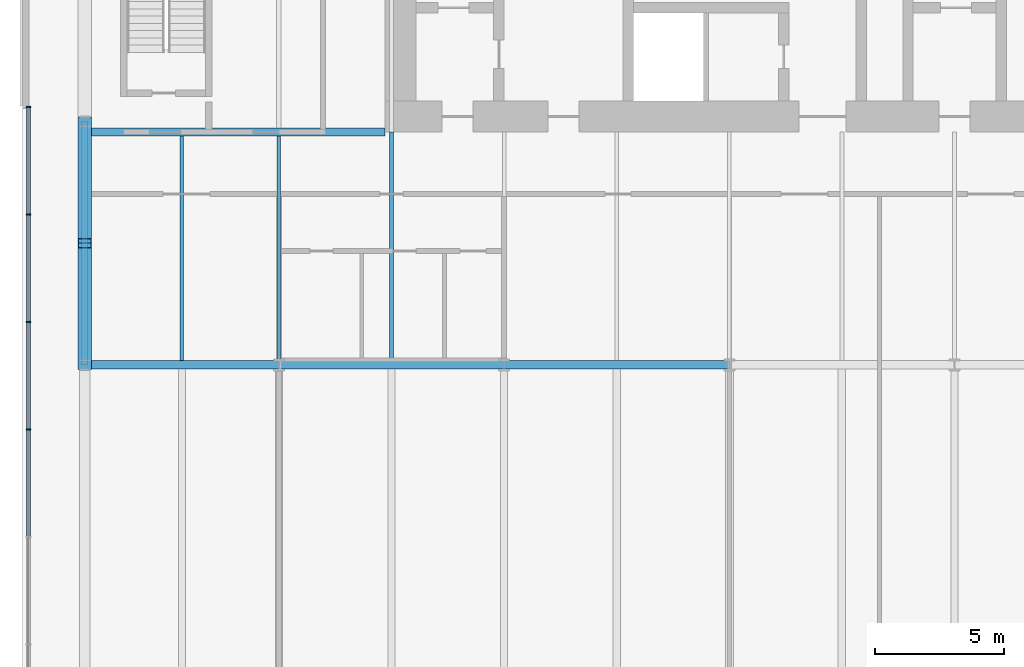
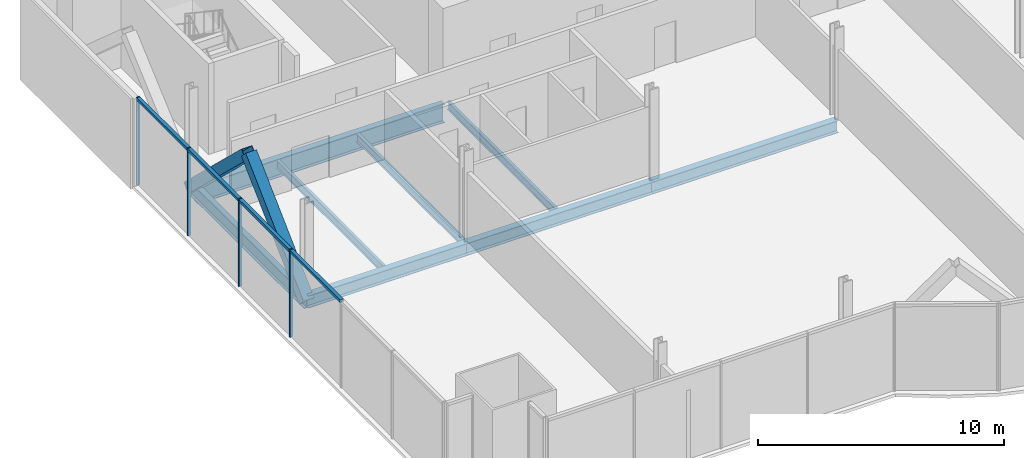
# One storey, part 6 of 21: 10 members, 8 beams, 1 element without a shape of its own.
"""IFC4 building model written with IfcOpenShell, lengths in metres."""

from ifc_helpers import new_model, si_unit, direction, frame, origin, origin_2d, place, context, subcontext, project, spatial, rectangle, hollow_rectangle, i_section, extrude, material, material_profile, profile_set, type_object, element, aggregate, save


model = new_model("IFC4")

# Units and contexts
model_context = context("Model", 3, precision=1e-05, world=origin(), true_north=direction((0.0, 1.0)))
body_context = subcontext(model_context, "Body", "Model", "MODEL_VIEW")
ifc_project = project(units=[si_unit("LENGTHUNIT", "METRE"), si_unit("AREAUNIT", "SQUARE_METRE"), si_unit("VOLUMEUNIT", "CUBIC_METRE"), si_unit("PLANEANGLEUNIT", "RADIAN"), si_unit("MASSUNIT", "GRAM", prefix="KILO")], contexts=[model_context])

# Site, building, storey
site_placement = place(None, origin())
site = spatial("IfcSite", under=ifc_project, at=site_placement, CompositionType="ELEMENT")
building_placement = place(site_placement, origin())
building = spatial("IfcBuilding", under=site, at=building_placement, Name="Bicima Exchange Tower", CompositionType="ELEMENT")
storey_placement = place(building_placement, frame((0.0, 0.0, 66.5)))
storey = spatial("IfcBuildingStorey", under=building, at=storey_placement, Name="L13", CompositionType="ELEMENT", Elevation=66.5)

# Beam
ifc_material_1 = material(Name="Steel ASTM A992 Gr 50", Category="steel")
ifc_material_profile_1 = material_profile(ifc_material_1, i_section(OverallWidth=0.3046875, OverallDepth=0.911865234375, WebThickness=0.015869140625, FlangeThickness=0.02392578125, at=origin_2d()))
ifc_profile_set_1 = profile_set([ifc_material_profile_1], Name="Steel ASTM A992 Gr 50")
beam_type_1 = type_object("IfcBeamType", Name="Core-line girder W36x150", PredefinedType="BEAM", material=ifc_profile_set_1)
beam_1_placement = place(storey_placement, frame((-22.0, -13.0, -0.60595703125), z_axis=(-1.0, 0.0, 0.0), x_axis=(0.0, -1.0, 0.0)))
element("IfcBeam", 1, at=beam_1_placement, inside=storey, type_object=beam_type_1, Name="Core-line girder", PredefinedType="BEAM", context=body_context, shape_type="SweptSolid", body=[
    extrude(i_section(OverallWidth=0.3046875, OverallDepth=0.911865234375, WebThickness=0.015869140625, FlangeThickness=0.02392578125, at=origin_2d()), origin(), (0.0, 0.0, 1.0), 11.60009765625),
])

# Curtain wall, members
ifc_material_2 = material(Name="Anodised bronze aluminium", Category="aluminium")
curtain_wall_type = type_object("IfcCurtainWallType", Name="End face glass wall", PredefinedType="NOTDEFINED", material=ifc_material_2)
curtain_wall_placement = place(storey_placement, origin())
curtain_wall = element("IfcCurtainWall", 2, at=curtain_wall_placement, inside=storey, type_object=curtain_wall_type, Name="End face glass wall L13 run 2", PredefinedType="NOTDEFINED")
ifc_material_profile_2 = material_profile(ifc_material_2, rectangle(XDim=0.159912109375, YDim=0.06005859375, at=origin_2d()))
ifc_profile_set_2 = profile_set([ifc_material_profile_2], Name="Anodised bronze aluminium")
member_type_1 = type_object("IfcMemberType", Name="End face glass wall mullion 60 x 160", PredefinedType="MULLION", material=ifc_profile_set_2)
member_1_placement = place(storey_placement, frame((-35.77001953125, -12.030029296875, 0.0), z_axis=(0.0, 0.0, 1.0), x_axis=(1.0, 0.0, 0.0)))
member_1 = element("IfcMember", 3, at=member_1_placement, type_object=member_type_1, Name="End face glass wall mullion 1", PredefinedType="MULLION", context=body_context, shape_type="SweptSolid", body=[
    extrude(rectangle(XDim=0.159912109375, YDim=0.06005859375, at=origin_2d()), origin(), (0.0, 0.0, 1.0), 4.35009765625),
])
member_2_placement = place(storey_placement, frame((-35.77001953125, -16.18359375, 0.0), z_axis=(0.0, 0.0, 1.0), x_axis=(1.0, 0.0, 0.0)))
member_2 = element("IfcMember", 4, at=member_2_placement, type_object=member_type_1, Name="End face glass wall mullion 2", PredefinedType="MULLION", context=body_context, shape_type="SweptSolid", body=[
    extrude(rectangle(XDim=0.159912109375, YDim=0.06005859375, at=origin_2d()), origin(), (0.0, 0.0, 1.0), 4.35009765625),
])
member_3_placement = place(storey_placement, frame((-35.77001953125, -20.33740234375, 0.0), z_axis=(0.0, 0.0, 1.0), x_axis=(1.0, 0.0, 0.0)))
member_3 = element("IfcMember", 5, at=member_3_placement, type_object=member_type_1, Name="End face glass wall mullion 3", PredefinedType="MULLION", context=body_context, shape_type="SweptSolid", body=[
    extrude(rectangle(XDim=0.159912109375, YDim=0.06005859375, at=origin_2d()), origin(), (0.0, 0.0, 1.0), 4.35009765625),
])
member_4_placement = place(storey_placement, frame((-35.77001953125, -24.490966796875, 0.0), z_axis=(0.0, 0.0, 1.0), x_axis=(1.0, 0.0, 0.0)))
member_4 = element("IfcMember", 6, at=member_4_placement, type_object=member_type_1, Name="End face glass wall mullion 4", PredefinedType="MULLION", context=body_context, shape_type="SweptSolid", body=[
    extrude(rectangle(XDim=0.159912109375, YDim=0.06005859375, at=origin_2d()), origin(), (0.0, 0.0, 1.0), 4.35009765625),
])
ifc_material_profile_3 = material_profile(ifc_material_2, rectangle(XDim=0.159912109375, YDim=0.139892578125, at=origin_2d()))
ifc_profile_set_3 = profile_set([ifc_material_profile_3], Name="Anodised bronze aluminium")
member_type_2 = type_object("IfcMemberType", Name="End face glass wall transom 140 x 160", PredefinedType="USERDEFINED", material=ifc_profile_set_3)
member_5_placement = place(storey_placement, frame((-35.77001953125, -12.06005859375, 4.280029296875), z_axis=(0.0, -1.0, 0.0), x_axis=(1.0, 0.0, 0.0)))
member_5 = element("IfcMember", 7, at=member_5_placement, type_object=member_type_2, Name="End face glass wall transom 1.1", ObjectType="TRANSOM", PredefinedType="USERDEFINED", context=body_context, shape_type="SweptSolid", body=[
    extrude(rectangle(XDim=0.159912109375, YDim=0.139892578125, at=origin_2d()), origin(), (0.0, 0.0, 1.0), 4.09375),
])
member_6_placement = place(storey_placement, frame((-35.77001953125, -16.213623046875, 4.280029296875), z_axis=(0.0, -1.0, 0.0), x_axis=(1.0, 0.0, 0.0)))
member_6 = element("IfcMember", 8, at=member_6_placement, type_object=member_type_2, Name="End face glass wall transom 2.1", ObjectType="TRANSOM", PredefinedType="USERDEFINED", context=body_context, shape_type="SweptSolid", body=[
    extrude(rectangle(XDim=0.159912109375, YDim=0.139892578125, at=origin_2d()), origin(), (0.0, 0.0, 1.0), 4.09375),
])
member_7_placement = place(storey_placement, frame((-35.77001953125, -20.3671875, 4.280029296875), z_axis=(0.0, -1.0, 0.0), x_axis=(1.0, 0.0, 0.0)))
member_7 = element("IfcMember", 9, at=member_7_placement, type_object=member_type_2, Name="End face glass wall transom 3.1", ObjectType="TRANSOM", PredefinedType="USERDEFINED", context=body_context, shape_type="SweptSolid", body=[
    extrude(rectangle(XDim=0.159912109375, YDim=0.139892578125, at=origin_2d()), origin(), (0.0, 0.0, 1.0), 4.09375),
])
member_8_placement = place(storey_placement, frame((-35.77001953125, -24.52099609375, 4.280029296875), z_axis=(0.0, -1.0, 0.0), x_axis=(1.0, 0.0, 0.0)))
member_8 = element("IfcMember", 10, at=member_8_placement, type_object=member_type_2, Name="End face glass wall transom 4.1", ObjectType="TRANSOM", PredefinedType="USERDEFINED", context=body_context, shape_type="SweptSolid", body=[
    extrude(rectangle(XDim=0.159912109375, YDim=0.139892578125, at=origin_2d()), origin(), (0.0, 0.0, 1.0), 4.09375),
])
aggregate(curtain_wall, [member_1, member_2, member_3, member_4, member_5, member_6, member_7, member_8])

# Beams
ifc_material_profile_4 = material_profile(ifc_material_1, i_section(OverallWidth=0.256591796875, OverallDepth=0.693359375, WebThickness=0.014404296875, FlangeThickness=0.023681640625, at=origin_2d()))
ifc_profile_set_4 = profile_set([ifc_material_profile_4], Name="Steel ASTM A992 Gr 50")
beam_type_2 = type_object("IfcBeamType", Name="End girder W27x114", PredefinedType="BEAM", material=ifc_profile_set_4)
beam_2_placement = place(storey_placement, frame((-33.60009765625, -12.60009765625, -0.49658203125), z_axis=(0.0, -1.0, 0.0), x_axis=(1.0, 0.0, 0.0)))
element("IfcBeam", 11, at=beam_2_placement, inside=storey, type_object=beam_type_2, Name="End girder", PredefinedType="BEAM", context=body_context, shape_type="SweptSolid", body=[
    extrude(i_section(OverallWidth=0.256591796875, OverallDepth=0.693359375, WebThickness=0.014404296875, FlangeThickness=0.023681640625, at=origin_2d()), origin(), (0.0, 0.0, 1.0), 9.39990234375),
])
ifc_material_profile_5 = material_profile(ifc_material_1, i_section(OverallWidth=0.140380859375, OverallDepth=0.40380859375, WebThickness=0.007080078125, FlangeThickness=0.01123046875, at=origin_2d()))
ifc_profile_set_5 = profile_set([ifc_material_profile_5], Name="Steel ASTM A992 Gr 50")
beam_type_3 = type_object("IfcBeamType", Name="Floor beam W16x31", PredefinedType="JOIST", material=ifc_profile_set_5)
for number, where, z_axis, x_axis, name in (
    (12, (-29.85009765625, -13.15234375, -0.351806640625), (0.0, -1.0, 0.0), (1.0, 0.0, 0.0), "Floor beam"),
    (13, (-26.10009765625, -13.15234375, -0.351806640625), (0.0, -1.0, 0.0), (1.0, 0.0, 0.0), "Floor beam"),
):
    element("IfcBeam", number, at=place(storey_placement, frame(where, z_axis=z_axis, x_axis=x_axis)), inside=storey, type_object=beam_type_3, Name=name, PredefinedType="JOIST", context=body_context, shape_type="SweptSolid", body=[
        extrude(i_section(OverallWidth=0.140380859375, OverallDepth=0.40380859375, WebThickness=0.007080078125, FlangeThickness=0.01123046875, at=origin_2d()), origin(), (0.0, 0.0, 1.0), 8.68505859375),
    ])
beam_3_placement = place(storey_placement, frame((-21.75, -13.0, -0.351806640625), z_axis=(0.0, -1.0, 0.0), x_axis=(1.0, 0.0, 0.0)))
element("IfcBeam", 14, at=beam_3_placement, inside=storey, type_object=beam_type_3, Name="Floor beam", PredefinedType="JOIST", context=body_context, shape_type="SweptSolid", body=[
    extrude(i_section(OverallWidth=0.140380859375, OverallDepth=0.40380859375, WebThickness=0.007080078125, FlangeThickness=0.01123046875, at=origin_2d()), origin(), (0.0, 0.0, 1.0), 8.83740234375),
])

# Members
ifc_material_3 = material(Name="Steel ASTM A572 Gr 50", Category="steel")
ifc_material_profile_6 = material_profile(ifc_material_3, hollow_rectangle(XDim=0.508056640625, YDim=0.508056640625, WallThickness=0.017822265625, at=origin_2d()))
ifc_profile_set_6 = profile_set([ifc_material_profile_6], Name="Steel ASTM A572 Gr 50")
member_type_3 = type_object("IfcMemberType", Name="Mega brace HSS20x20x3/4", PredefinedType="BRACE", material=ifc_profile_set_6)
for number, where, z_axis, x_axis, name in (
    (15, (-33.60009765625, -12.60009765625, -0.49658203125), (0.0, -0.722304421208, 0.691575247608), (1.0, 0.0, 0.0), "Mega brace west end"),
    (16, (-33.60009765625, -22.0, -0.49658203125), (0.0, 0.722304421208, 0.691575247608), (-1.0, 0.0, 0.0), "Mega brace west end"),
):
    element("IfcMember", number, at=place(storey_placement, frame(where, z_axis=z_axis, x_axis=x_axis)), inside=storey, type_object=member_type_3, Name=name, PredefinedType="BRACE", context=body_context, shape_type="SweptSolid", body=[
        extrude(hollow_rectangle(XDim=0.508056640625, YDim=0.508056640625, WallThickness=0.017822265625, at=origin_2d()), origin(), (0.0, 0.0, 1.0), 6.5068359375),
    ])

# Beams
ifc_material_profile_7 = material_profile(ifc_material_1, i_section(OverallWidth=0.3251953125, OverallDepth=0.612060546875, WebThickness=0.0126953125, FlangeThickness=0.01904296875, at=origin_2d()))
ifc_profile_set_7 = profile_set([ifc_material_profile_7], Name="Steel ASTM A992 Gr 50")
beam_type_4 = type_object("IfcBeamType", Name="Row girder W24x104", PredefinedType="BEAM", material=ifc_profile_set_7)
beam_4_placement = place(storey_placement, frame((-33.60009765625, -22.0, -0.4560546875), z_axis=(1.0, 0.0, 0.0), x_axis=(0.0, 1.0, 0.0)))
element("IfcBeam", 17, at=beam_4_placement, inside=storey, type_object=beam_type_4, Name="Row girder", PredefinedType="BEAM", context=body_context, shape_type="SweptSolid", body=[
    extrude(i_section(OverallWidth=0.3251953125, OverallDepth=0.612060546875, WebThickness=0.0126953125, FlangeThickness=0.01904296875, at=origin_2d()), origin(), (0.0, 0.0, 1.0), 7.5),
])
beam_5_placement = place(storey_placement, frame((-26.10009765625, -22.0, -0.4560546875), z_axis=(1.0, 0.0, 0.0), x_axis=(0.0, 1.0, 0.0)))
element("IfcBeam", 18, at=beam_5_placement, inside=storey, type_object=beam_type_4, Name="Row girder", PredefinedType="BEAM", context=body_context, shape_type="SweptSolid", body=[
    extrude(i_section(OverallWidth=0.3251953125, OverallDepth=0.612060546875, WebThickness=0.0126953125, FlangeThickness=0.01904296875, at=origin_2d()), origin(), (0.0, 0.0, 1.0), 8.7001953125),
])
beam_6_placement = place(storey_placement, frame((-17.39990234375, -22.0, -0.4560546875), z_axis=(1.0, 0.0, 0.0), x_axis=(0.0, 1.0, 0.0)))
element("IfcBeam", 19, at=beam_6_placement, inside=storey, type_object=beam_type_4, Name="Row girder", PredefinedType="BEAM", context=body_context, shape_type="SweptSolid", body=[
    extrude(i_section(OverallWidth=0.3251953125, OverallDepth=0.612060546875, WebThickness=0.0126953125, FlangeThickness=0.01904296875, at=origin_2d()), origin(), (0.0, 0.0, 1.0), 8.699951171875),
])

save(model, "model.ifc")
